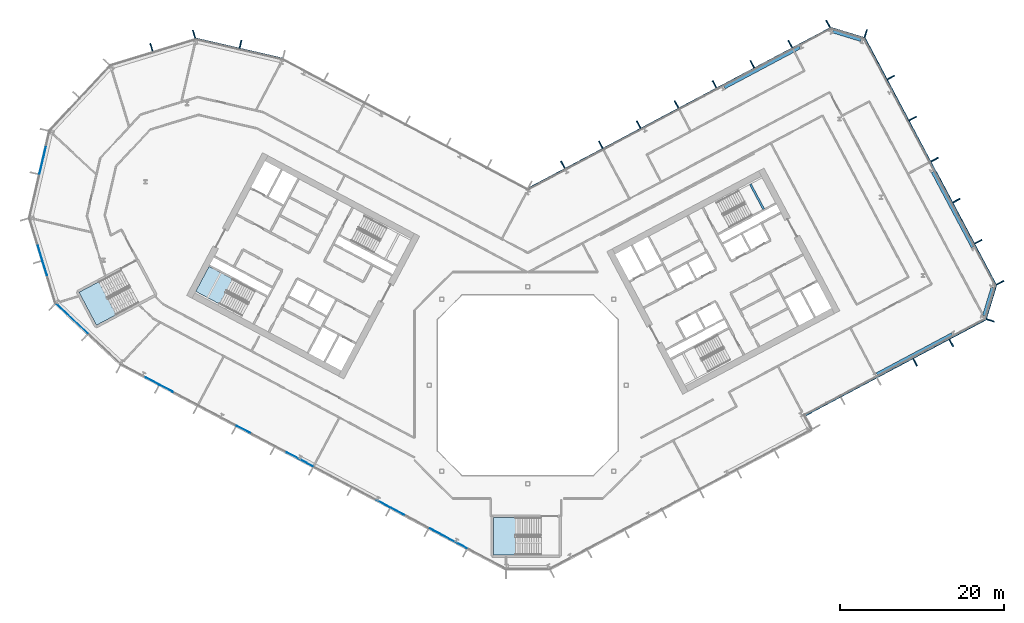
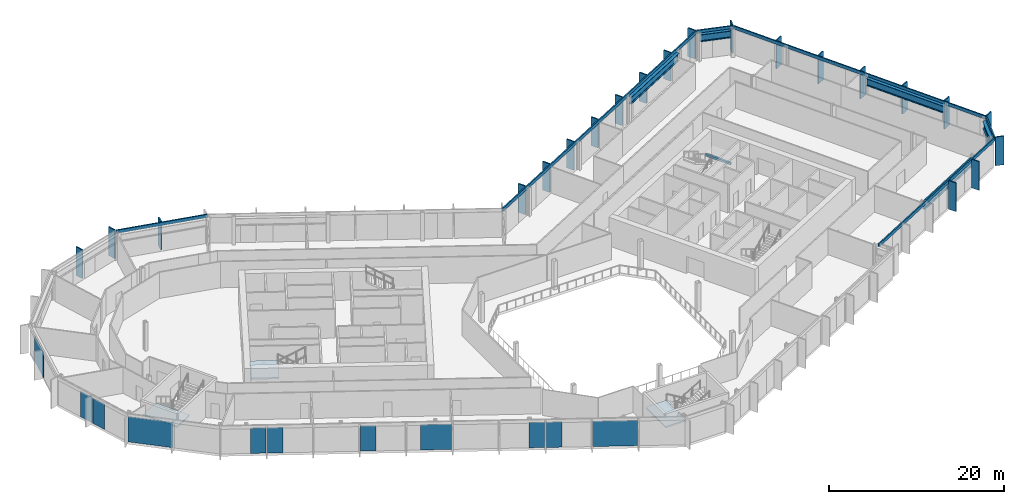
# One storey, part 10 of 28: 27 members, 11 plates, 6 beams, 3 slabs, 14 elements without a shape of their own.
"""IFC4 building model written with IfcOpenShell, lengths in metres."""

import ifcopenshell
import ifcopenshell.guid

model = None  # the IFC model being written
_history = None  # IfcOwnerHistory: only IFC2X3 demands one
_inside = {}  # id of a spatial element -> (the spatial element, [elements in it])
_under = {}  # id of a project, library or spatial element -> (it, [spatial elements below it])
_declared = {}  # id of a project -> (the project, [libraries it declares])
_typed = {}  # id of a type object -> (the type object, [elements of that type])
_made_of = {}  # id of a material, layer set ... -> (it, [elements and type objects made of it])


def new_model(schema):
    """Start an empty IFC model of exactly this schema.

    Asked for "IFC4X3", IfcOpenShell would pick the latest addendum, in which some entities
    have other attributes; the version numbers below select the first issue.
    IFC2X3 requires an IfcOwnerHistory on every rooted entity: one is made here for all.
    """
    global model, _history
    if schema == "IFC4X3":
        model = ifcopenshell.file(schema_version=(4, 3, 0, 0))
    else:
        model = ifcopenshell.file(schema=schema)
    _inside.clear()
    _under.clear()
    _declared.clear()
    _typed.clear()
    _made_of.clear()
    _history = None
    if model.schema == "IFC2X3":
        org = make("IfcOrganization", Name="unknown")
        user = make(
            "IfcPersonAndOrganization",
            ThePerson=make("IfcPerson", FamilyName="unknown"),
            TheOrganization=org,
        )
        app = make(
            "IfcApplication",
            ApplicationDeveloper=org,
            Version="unknown",
            ApplicationFullName="unknown",
            ApplicationIdentifier="unknown",
        )
        _history = make(
            "IfcOwnerHistory",
            OwningUser=user,
            OwningApplication=app,
            ChangeAction="ADDED",
            CreationDate=0,
        )
    return model


def make(cls, **values):
    """One entity of the class cls with the attributes given. An attribute that is None is left unset."""
    return model.create_entity(
        cls, **{name: value for name, value in values.items() if value is not None}
    )


def rooted(cls, **values):
    """An entity with a GlobalId (a new one), such as an element, a storey or a relation."""
    return make(cls, GlobalId=ifcopenshell.guid.new(), OwnerHistory=_history, **values)


def si_unit(unit_type, name, prefix=None):
    """IfcSIUnit, for example si_unit("LENGTHUNIT", "METRE", prefix="MILLI")."""
    return make("IfcSIUnit", UnitType=unit_type, Prefix=prefix, Name=name)


def assignment(units):
    """IfcUnitAssignment: the units of a project."""
    return None if units is None else make("IfcUnitAssignment", Units=units)


def point(xyz):
    """IfcCartesianPoint."""
    return None if xyz is None else make("IfcCartesianPoint", Coordinates=xyz)


def direction(xyz):
    """IfcDirection."""
    return None if xyz is None else make("IfcDirection", DirectionRatios=xyz)


def frame(location, z_axis=None, x_axis=None):
    """IfcAxis2Placement3D, a coordinate frame: its origin and axes. An axis left out is left unset."""
    return make(
        "IfcAxis2Placement3D",
        Location=point(location),
        Axis=direction(z_axis),
        RefDirection=direction(x_axis),
    )


def frame_2d(location, x_axis=None):
    """IfcAxis2Placement2D, a coordinate frame in the plane: its origin and x axis."""
    return make(
        "IfcAxis2Placement2D", Location=point(location), RefDirection=direction(x_axis)
    )


def origin():
    """The frame at (0, 0, 0) with its axes left unset."""
    return frame((0.0, 0.0, 0.0))


def origin_2d():
    """The frame at (0, 0) in the plane with its x axis left unset."""
    return frame_2d((0.0, 0.0))


def place(relative_to, where):
    """IfcLocalPlacement: puts the frame where relative to a parent placement (None: the world)."""
    return make(
        "IfcLocalPlacement", PlacementRelTo=relative_to, RelativePlacement=where
    )


def context(
    kind, dimensions, precision=None, world=None, true_north=None, identifier=None
):
    """IfcGeometricRepresentationContext, for example the 3D "Model" context."""
    return make(
        "IfcGeometricRepresentationContext",
        ContextIdentifier=identifier,
        ContextType=kind,
        CoordinateSpaceDimension=dimensions,
        Precision=precision,
        WorldCoordinateSystem=world,
        TrueNorth=true_north,
    )


def subcontext(parent, identifier, kind, view, scale=None):
    """IfcGeometricRepresentationSubContext, for example "Body" below "Model"."""
    return make(
        "IfcGeometricRepresentationSubContext",
        ContextIdentifier=identifier,
        ContextType=kind,
        ParentContext=parent,
        TargetScale=scale,
        TargetView=view,
    )


def project(units=None, contexts=None):
    """IfcProject with its units and contexts."""
    return rooted(
        "IfcProject",
        Name="project",
        RepresentationContexts=contexts,
        UnitsInContext=assignment(units),
    )


def spatial(cls, under=None, at=None, **own):
    """A site, building, storey or space (cls), placed at a placement, below another one or the project."""
    s = rooted(cls, ObjectPlacement=at, **own)
    if under is not None:
        _under.setdefault(under.id(), (under, []))[1].append(s)
    return s


def polyline(points):
    """IfcPolyline through the points."""
    return make("IfcPolyline", Points=[point(p) for p in points])


def profile(cls, at=None, kind="AREA", **sizes):
    """A parametric profile (cls). Its sizes go by their IFC names, for example OverallWidth=200.0."""
    return make(cls, ProfileType=kind, Position=at, **sizes)


def rectangle(**sizes):
    """IfcRectangleProfileDef."""
    return profile("IfcRectangleProfileDef", **sizes)


def i_section(**sizes):
    """IfcIShapeProfileDef."""
    return profile("IfcIShapeProfileDef", **sizes)


def outline(outer, holes=None, kind="AREA"):
    """IfcArbitraryClosedProfileDef: a profile drawn as a closed curve; with holes, ...WithVoids."""
    if holes is None:
        return make("IfcArbitraryClosedProfileDef", ProfileType=kind, OuterCurve=outer)
    return make(
        "IfcArbitraryProfileDefWithVoids",
        ProfileType=kind,
        OuterCurve=outer,
        InnerCurves=holes,
    )


def extrude(swept, where, along, depth):
    """IfcExtrudedAreaSolid: the profile swept, set in the frame where, extruded along a direction by depth."""
    return make(
        "IfcExtrudedAreaSolid",
        SweptArea=swept,
        Position=where,
        ExtrudedDirection=direction(along),
        Depth=depth,
    )


def shape(context_of_items, identifier, shape_type, items):
    """IfcShapeRepresentation: the items that make up one representation, for example the "Body"."""
    return make(
        "IfcShapeRepresentation",
        ContextOfItems=context_of_items,
        RepresentationIdentifier=identifier,
        RepresentationType=shape_type,
        Items=items,
    )


def material(Name=None, Category=None):
    """IfcMaterial."""
    return make("IfcMaterial", Name=Name, Category=Category)


def layer(
    of_material, thickness, ventilated=None, Name=None, Category=None, Priority=None
):
    """IfcMaterialLayer: one layer of a wall or slab, of a material (None: an air gap)."""
    return make(
        "IfcMaterialLayer",
        Material=of_material,
        LayerThickness=thickness,
        IsVentilated=ventilated,
        Name=Name,
        Category=Category,
        Priority=Priority,
    )


def layer_set(layers, Name=None):
    """IfcMaterialLayerSet."""
    return make("IfcMaterialLayerSet", MaterialLayers=layers, LayerSetName=Name)


def material_profile(
    of_material, cross_section, Name=None, Category=None, Priority=None
):
    """IfcMaterialProfile: a cross section and its material."""
    return make(
        "IfcMaterialProfile",
        Name=Name,
        Material=of_material,
        Profile=cross_section,
        Priority=Priority,
        Category=Category,
    )


def profile_set(profiles, Name=None, composite=None):
    """IfcMaterialProfileSet."""
    return make(
        "IfcMaterialProfileSet",
        Name=Name,
        MaterialProfiles=profiles,
        CompositeProfile=composite,
    )


def made_of(thing, what):
    """Note that an element or type object is made of a material, layer set ...; save() writes the relation."""
    if what is not None:
        _made_of.setdefault(what.id(), (what, []))[1].append(thing)
    return thing


def type_object(cls, material=None, **own):
    """A type object (cls), such as IfcWallType, which elements share."""
    return made_of(rooted(cls, **own), material)


def element(
    cls,
    number,
    at=None,
    inside=None,
    cuts=None,
    type_object=None,
    material=None,
    context=None,
    identifier="Body",
    shape_type=None,
    held_by="IfcProductDefinitionShape",
    body=None,
    shapes=None,
    **own,
):
    """One element of the class cls, such as IfcWall. Its Tag is "e" and its number.

    at: its placement. inside: the storey or other place that contains it. cuts: it is an
    opening in that element (IfcRelVoidsElement). A single representation is given by context,
    identifier, shape_type and body (its items); several are given by shapes. held_by: the class
    of the entity that holds the representations. save() writes the other relations.
    """
    e = rooted(cls, Tag="e%d" % number, ObjectPlacement=at, **own)
    if body is not None:
        shapes = [shape(context, identifier, shape_type, body)]
    if shapes is not None:
        e.Representation = make(held_by, Representations=shapes)
    if inside is not None:
        _inside.setdefault(inside.id(), (inside, []))[1].append(e)
    if cuts is not None:
        rooted(
            "IfcRelVoidsElement", RelatingBuildingElement=cuts, RelatedOpeningElement=e
        )
    if type_object is not None:
        _typed.setdefault(type_object.id(), (type_object, []))[1].append(e)
    return made_of(e, material)


def aggregate(whole, parts):
    """IfcRelAggregates: a whole, such as a stair, and the parts it consists of."""
    return rooted("IfcRelAggregates", RelatingObject=whole, RelatedObjects=parts)


def save(model, path):
    """Write the relations noted so far, then the file.

    IfcRelAggregates (storeys below a building ...), IfcRelContainedInSpatialStructure (elements
    in a storey), IfcRelDefinesByType, IfcRelAssociatesMaterial and IfcRelDeclares: one each for
    every whole, place, type object, material and project.
    """
    for whole, parts in _under.values():
        aggregate(whole, parts)
    for where, things in _inside.values():
        rooted(
            "IfcRelContainedInSpatialStructure",
            RelatedElements=things,
            RelatingStructure=where,
        )
    for kind, things in _typed.values():
        rooted("IfcRelDefinesByType", RelatedObjects=things, RelatingType=kind)
    for what, things in _made_of.values():
        rooted("IfcRelAssociatesMaterial", RelatedObjects=things, RelatingMaterial=what)
    for by, libraries in _declared.values():
        rooted("IfcRelDeclares", RelatingContext=by, RelatedDefinitions=libraries)
    model.write(path)


model = new_model("IFC4")

# Units and contexts
model_context = context("Model", 3, precision=1e-05, world=origin(), true_north=direction((0.0, 1.0)))
body_context = subcontext(model_context, "Body", "Model", "MODEL_VIEW")
ifc_project = project(units=[si_unit("LENGTHUNIT", "METRE"), si_unit("AREAUNIT", "SQUARE_METRE"), si_unit("VOLUMEUNIT", "CUBIC_METRE"), si_unit("PLANEANGLEUNIT", "RADIAN"), si_unit("MASSUNIT", "GRAM", prefix="KILO")], contexts=[model_context])

# Site, building, storey
site_placement = place(None, origin())
site = spatial("IfcSite", under=ifc_project, at=site_placement, CompositionType="ELEMENT")
building_placement = place(site_placement, origin())
building = spatial("IfcBuilding", under=site, at=building_placement, Name="Cormorant Relay Tower", CompositionType="ELEMENT")
storey_placement = place(building_placement, frame((0.0, 0.0, 138.199951171875)))
storey = spatial("IfcBuildingStorey", under=building, at=storey_placement, Name="L28", CompositionType="ELEMENT", Elevation=138.199951171875)

# Curtain wall, members
ifc_material_1 = material(Name="Aluminium 6063-T6 anodised bronze", Category="aluminium")
ifc_layer_1 = layer(ifc_material_1, 0.199951171875)
ifc_layer_set_1 = layer_set([ifc_layer_1], Name="CW1 unitised bronze curtain wall with vertical fins")
curtain_wall_type = type_object("IfcCurtainWallType", Name="CW1 unitised bronze curtain wall with vertical fins", PredefinedType="NOTDEFINED", material=ifc_layer_set_1)
curtain_wall_1_placement = place(storey_placement, origin())
curtain_wall_1 = element("IfcCurtainWall", 1, at=curtain_wall_1_placement, inside=storey, type_object=curtain_wall_type, Name="CW1 curtain wall 4", PredefinedType="NOTDEFINED")
ifc_material_2 = material(Name="Aluminium 6063-T6 anodised bronze", Category="aluminium")
ifc_material_profile_1 = material_profile(ifc_material_2, rectangle(XDim=0.14990234375, YDim=1.0, at=origin_2d()), Name="AL 150x1000")
ifc_profile_set_1 = profile_set([ifc_material_profile_1], Name="Aluminium 6063-T6 anodised bronze")
member_type_1 = type_object("IfcMemberType", Name="CW1 bronze fin mullion 150 x 1000", PredefinedType="MULLION", material=ifc_profile_set_1)
member_1_placement = place(storey_placement, frame((47.21533203125, 2.793212890625, 0.0), z_axis=(0.0, 0.0, 1.0), x_axis=(0.882947592859, 0.469471562786, 0.0)))
member_1 = element("IfcMember", 2, at=member_1_placement, type_object=member_type_1, Name="CW1 fin 4.4", PredefinedType="MULLION", context=body_context, shape_type="SweptSolid", body=[
    extrude(rectangle(XDim=0.14990234375, YDim=1.0, at=origin_2d()), origin(), (0.0, 0.0, 1.0), 4.0),
])
member_2_placement = place(storey_placement, frame((51.630126953125, 5.140625, 0.0), z_axis=(0.0, 0.0, 1.0), x_axis=(0.882947592859, 0.469471562786, 0.0)))
member_2 = element("IfcMember", 3, at=member_2_placement, type_object=member_type_1, Name="CW1 fin 4.5", PredefinedType="MULLION", context=body_context, shape_type="SweptSolid", body=[
    extrude(rectangle(XDim=0.14990234375, YDim=1.0, at=origin_2d()), origin(), (0.0, 0.0, 1.0), 4.0),
])

# Curtain wall, member
curtain_wall_2_placement = place(storey_placement, origin())
curtain_wall_2 = element("IfcCurtainWall", 4, at=curtain_wall_2_placement, inside=storey, type_object=curtain_wall_type, Name="CW1 curtain wall 5", PredefinedType="NOTDEFINED")
member_3_placement = place(storey_placement, frame((56.385498046875, 7.9013671875, 0.0), z_axis=(0.0, 0.0, 1.0), x_axis=(0.292371704723, 0.956304755963, 0.0)))
member_3 = element("IfcMember", 5, at=member_3_placement, type_object=member_type_1, Name="CW1 fin 5.1", PredefinedType="MULLION", context=body_context, shape_type="SweptSolid", body=[
    extrude(rectangle(XDim=0.14990234375, YDim=1.0, at=origin_2d()), origin(), (0.0, 0.0, 1.0), 4.0),
])

# Curtain wall, members
curtain_wall_3_placement = place(storey_placement, origin())
curtain_wall_3 = element("IfcCurtainWall", 6, at=curtain_wall_3_placement, inside=storey, type_object=curtain_wall_type, Name="CW1 curtain wall 6", PredefinedType="NOTDEFINED")
member_4_placement = place(storey_placement, frame((57.57470703125, 12.491943359375, 0.0), z_axis=(0.0, 0.0, 1.0), x_axis=(-0.469471562786, 0.882947592859, 0.0)))
member_4 = element("IfcMember", 7, at=member_4_placement, type_object=member_type_1, Name="CW1 fin 6.1", PredefinedType="MULLION", context=body_context, shape_type="SweptSolid", body=[
    extrude(rectangle(XDim=0.14990234375, YDim=1.0, at=origin_2d()), origin(), (0.0, 0.0, 1.0), 4.0),
])
member_5_placement = place(storey_placement, frame((54.914306640625, 17.4951171875, 0.0), z_axis=(0.0, 0.0, 1.0), x_axis=(-0.469471562786, 0.882947592859, 0.0)))
member_5 = element("IfcMember", 8, at=member_5_placement, type_object=member_type_1, Name="CW1 fin 6.2", PredefinedType="MULLION", context=body_context, shape_type="SweptSolid", body=[
    extrude(rectangle(XDim=0.14990234375, YDim=1.0, at=origin_2d()), origin(), (0.0, 0.0, 1.0), 4.0),
])
member_6_placement = place(storey_placement, frame((52.25390625, 22.49853515625, 0.0), z_axis=(0.0, 0.0, 1.0), x_axis=(-0.469471562786, 0.882947592859, 0.0)))
member_6 = element("IfcMember", 9, at=member_6_placement, type_object=member_type_1, Name="CW1 fin 6.3", PredefinedType="MULLION", context=body_context, shape_type="SweptSolid", body=[
    extrude(rectangle(XDim=0.14990234375, YDim=1.0, at=origin_2d()), origin(), (0.0, 0.0, 1.0), 4.0),
])
member_7_placement = place(storey_placement, frame((49.59375, 27.501953125, 0.0), z_axis=(0.0, 0.0, 1.0), x_axis=(-0.469471562786, 0.882947592859, 0.0)))
member_7 = element("IfcMember", 10, at=member_7_placement, type_object=member_type_1, Name="CW1 fin 6.4", PredefinedType="MULLION", context=body_context, shape_type="SweptSolid", body=[
    extrude(rectangle(XDim=0.14990234375, YDim=1.0, at=origin_2d()), origin(), (0.0, 0.0, 1.0), 4.0),
])
member_8_placement = place(storey_placement, frame((46.933349609375, 32.50537109375, 0.0), z_axis=(0.0, 0.0, 1.0), x_axis=(-0.469471562786, 0.882947592859, 0.0)))
member_8 = element("IfcMember", 11, at=member_8_placement, type_object=member_type_1, Name="CW1 fin 6.5", PredefinedType="MULLION", context=body_context, shape_type="SweptSolid", body=[
    extrude(rectangle(XDim=0.14990234375, YDim=1.0, at=origin_2d()), origin(), (0.0, 0.0, 1.0), 4.0),
])
member_9_placement = place(storey_placement, frame((44.27294921875, 37.5087890625, 0.0), z_axis=(0.0, 0.0, 1.0), x_axis=(-0.469471562786, 0.882947592859, 0.0)))
member_9 = element("IfcMember", 12, at=member_9_placement, type_object=member_type_1, Name="CW1 fin 6.6", PredefinedType="MULLION", context=body_context, shape_type="SweptSolid", body=[
    extrude(rectangle(XDim=0.14990234375, YDim=1.0, at=origin_2d()), origin(), (0.0, 0.0, 1.0), 4.0),
])

# Curtain wall, member
curtain_wall_4_placement = place(storey_placement, origin())
curtain_wall_4 = element("IfcCurtainWall", 13, at=curtain_wall_4_placement, inside=storey, type_object=curtain_wall_type, Name="CW1 curtain wall 7", PredefinedType="NOTDEFINED")
member_10_placement = place(storey_placement, frame((41.19921875, 42.852783203125, 0.0), z_axis=(0.0, 0.0, 1.0), x_axis=(-0.956304755963, 0.292371704723, 0.0)))
member_10 = element("IfcMember", 14, at=member_10_placement, type_object=member_type_1, Name="CW1 fin 7.1", PredefinedType="MULLION", context=body_context, shape_type="SweptSolid", body=[
    extrude(rectangle(XDim=0.14990234375, YDim=1.0, at=origin_2d()), origin(), (0.0, 0.0, 1.0), 4.0),
])

# Curtain wall, members
curtain_wall_5_placement = place(storey_placement, origin())
curtain_wall_5 = element("IfcCurtainWall", 15, at=curtain_wall_5_placement, inside=storey, type_object=curtain_wall_type, Name="CW1 curtain wall 8", PredefinedType="NOTDEFINED")
member_11_placement = place(storey_placement, frame((36.608642578125, 44.0419921875, 0.0), z_axis=(0.0, 0.0, 1.0), x_axis=(-0.882947592859, -0.469471562786, 0.0)))
member_11 = element("IfcMember", 16, at=member_11_placement, type_object=member_type_1, Name="CW1 fin 8.1", PredefinedType="MULLION", context=body_context, shape_type="SweptSolid", body=[
    extrude(rectangle(XDim=0.14990234375, YDim=1.0, at=origin_2d()), origin(), (0.0, 0.0, 1.0), 4.0),
])
member_12_placement = place(storey_placement, frame((31.991455078125, 41.5869140625, 0.0), z_axis=(0.0, 0.0, 1.0), x_axis=(-0.882947592859, -0.469471562786, 0.0)))
member_12 = element("IfcMember", 17, at=member_12_placement, type_object=member_type_1, Name="CW1 fin 8.2", PredefinedType="MULLION", context=body_context, shape_type="SweptSolid", body=[
    extrude(rectangle(XDim=0.14990234375, YDim=1.0, at=origin_2d()), origin(), (0.0, 0.0, 1.0), 4.0),
])
member_13_placement = place(storey_placement, frame((27.37451171875, 39.132080078125, 0.0), z_axis=(0.0, 0.0, 1.0), x_axis=(-0.882947592859, -0.469471562786, 0.0)))
member_13 = element("IfcMember", 18, at=member_13_placement, type_object=member_type_1, Name="CW1 fin 8.3", PredefinedType="MULLION", context=body_context, shape_type="SweptSolid", body=[
    extrude(rectangle(XDim=0.14990234375, YDim=1.0, at=origin_2d()), origin(), (0.0, 0.0, 1.0), 4.0),
])
member_14_placement = place(storey_placement, frame((22.757080078125, 36.677001953125, 0.0), z_axis=(0.0, 0.0, 1.0), x_axis=(-0.882947592859, -0.469471562786, 0.0)))
member_14 = element("IfcMember", 19, at=member_14_placement, type_object=member_type_1, Name="CW1 fin 8.4", PredefinedType="MULLION", context=body_context, shape_type="SweptSolid", body=[
    extrude(rectangle(XDim=0.14990234375, YDim=1.0, at=origin_2d()), origin(), (0.0, 0.0, 1.0), 4.0),
])
member_15_placement = place(storey_placement, frame((18.139892578125, 34.221923828125, 0.0), z_axis=(0.0, 0.0, 1.0), x_axis=(-0.882947592859, -0.469471562786, 0.0)))
member_15 = element("IfcMember", 20, at=member_15_placement, type_object=member_type_1, Name="CW1 fin 8.5", PredefinedType="MULLION", context=body_context, shape_type="SweptSolid", body=[
    extrude(rectangle(XDim=0.14990234375, YDim=1.0, at=origin_2d()), origin(), (0.0, 0.0, 1.0), 4.0),
])
member_16_placement = place(storey_placement, frame((13.52294921875, 31.76708984375, 0.0), z_axis=(0.0, 0.0, 1.0), x_axis=(-0.882947592859, -0.469471562786, 0.0)))
member_16 = element("IfcMember", 21, at=member_16_placement, type_object=member_type_1, Name="CW1 fin 8.6", PredefinedType="MULLION", context=body_context, shape_type="SweptSolid", body=[
    extrude(rectangle(XDim=0.14990234375, YDim=1.0, at=origin_2d()), origin(), (0.0, 0.0, 1.0), 4.0),
])
member_17_placement = place(storey_placement, frame((8.90576171875, 29.31201171875, 0.0), z_axis=(0.0, 0.0, 1.0), x_axis=(-0.882947592859, -0.469471562786, 0.0)))
member_17 = element("IfcMember", 22, at=member_17_placement, type_object=member_type_1, Name="CW1 fin 8.7", PredefinedType="MULLION", context=body_context, shape_type="SweptSolid", body=[
    extrude(rectangle(XDim=0.14990234375, YDim=1.0, at=origin_2d()), origin(), (0.0, 0.0, 1.0), 4.0),
])
member_18_placement = place(storey_placement, frame((4.28857421875, 26.85693359375, 0.0), z_axis=(0.0, 0.0, 1.0), x_axis=(-0.882947592859, -0.469471562786, 0.0)))
member_18 = element("IfcMember", 23, at=member_18_placement, type_object=member_type_1, Name="CW1 fin 8.8", PredefinedType="MULLION", context=body_context, shape_type="SweptSolid", body=[
    extrude(rectangle(XDim=0.14990234375, YDim=1.0, at=origin_2d()), origin(), (0.0, 0.0, 1.0), 4.0),
])

# Curtain wall, member
curtain_wall_6_placement = place(storey_placement, origin())
curtain_wall_6 = element("IfcCurtainWall", 24, at=curtain_wall_6_placement, inside=storey, type_object=curtain_wall_type, Name="CW1 curtain wall 10", PredefinedType="NOTDEFINED")
member_19_placement = place(storey_placement, frame((-35.01220703125, 41.57275390625, 0.0), z_axis=(0.0, 0.0, 1.0), x_axis=(-0.974370064785, 0.224951054344, 0.0)))
member_19 = element("IfcMember", 25, at=member_19_placement, type_object=member_type_1, Name="CW1 fin 10.2", PredefinedType="MULLION", context=body_context, shape_type="SweptSolid", body=[
    extrude(rectangle(XDim=0.14990234375, YDim=1.0, at=origin_2d()), origin(), (0.0, 0.0, 1.0), 4.0),
])

# Curtain wall, members
curtain_wall_7_placement = place(storey_placement, origin())
curtain_wall_7 = element("IfcCurtainWall", 26, at=curtain_wall_7_placement, inside=storey, type_object=curtain_wall_type, Name="CW1 curtain wall 11", PredefinedType="NOTDEFINED")
member_20_placement = place(storey_placement, frame((-40.670166015625, 42.78271484375, 0.0), z_axis=(0.0, 0.0, 1.0), x_axis=(-0.956304755963, -0.292371704723, 0.0)))
member_20 = element("IfcMember", 27, at=member_20_placement, type_object=member_type_1, Name="CW1 fin 11.1", PredefinedType="MULLION", context=body_context, shape_type="SweptSolid", body=[
    extrude(rectangle(XDim=0.14990234375, YDim=1.0, at=origin_2d()), origin(), (0.0, 0.0, 1.0), 4.0),
])
member_21_placement = place(storey_placement, frame((-45.867919921875, 41.193603515625, 0.0), z_axis=(0.0, 0.0, 1.0), x_axis=(-0.956304755963, -0.292371704723, 0.0)))
member_21 = element("IfcMember", 28, at=member_21_placement, type_object=member_type_1, Name="CW1 fin 11.2", PredefinedType="MULLION", context=body_context, shape_type="SweptSolid", body=[
    extrude(rectangle(XDim=0.14990234375, YDim=1.0, at=origin_2d()), origin(), (0.0, 0.0, 1.0), 4.0),
])
aggregate(curtain_wall_7, [member_20, member_21])

# Member
ifc_material_3 = material(Name="Aluminium 6063-T6 anodised bronze", Category="aluminium")
ifc_material_profile_2 = material_profile(ifc_material_3, rectangle(XDim=0.159912109375, YDim=0.449951171875, at=origin_2d()), Name="AL 160x450")
ifc_profile_set_2 = profile_set([ifc_material_profile_2], Name="Aluminium 6063-T6 anodised bronze")
member_type_2 = type_object("IfcMemberType", Name="CW1 bronze transom 160 x 450", PredefinedType="USERDEFINED", material=ifc_profile_set_2)
member_22_placement = place(storey_placement, frame((33.69873046875, -3.73681640625, 3.775146484375), z_axis=(0.88294749795, 0.469471741284, 0.0), x_axis=(-0.469471741284, 0.88294749795, 0.0)))
member_22 = element("IfcMember", 29, at=member_22_placement, type_object=member_type_2, Name="CW1 transom 4", ObjectType="TRANSOM", PredefinedType="USERDEFINED", context=body_context, shape_type="SweptSolid", body=[
    extrude(rectangle(XDim=0.159912109375, YDim=0.449951171875, at=origin_2d()), origin(), (0.0, 0.0, 1.0), 25.0),
])

aggregate(curtain_wall_1, [member_1, member_2, member_22])

member_23_placement = place(storey_placement, frame((55.830810546875, 8.07080078125, 3.775146484375), z_axis=(0.292374957137, 0.956303761594, 0.0), x_axis=(-0.956303761594, 0.292374957137, 0.0)))
member_23 = element("IfcMember", 30, at=member_23_placement, type_object=member_type_2, Name="CW1 transom 5", ObjectType="TRANSOM", PredefinedType="USERDEFINED", context=body_context, shape_type="SweptSolid", body=[
    extrude(rectangle(XDim=0.159912109375, YDim=0.449951171875, at=origin_2d()), origin(), (0.0, 0.0, 1.0), 4.24267578125),
])

aggregate(curtain_wall_2, [member_3, member_23])

member_24_placement = place(storey_placement, frame((57.0625, 12.219482421875, 3.775146484375), z_axis=(-0.469468277635, 0.882949339597, 0.0), x_axis=(-0.882949339597, -0.469468277635, 0.0)))
member_24 = element("IfcMember", 31, at=member_24_placement, type_object=member_type_2, Name="CW1 transom 6", ObjectType="TRANSOM", PredefinedType="USERDEFINED", context=body_context, shape_type="SweptSolid", body=[
    extrude(rectangle(XDim=0.159912109375, YDim=0.449951171875, at=origin_2d()), origin(), (0.0, 0.0, 1.0), 34.0),
])

aggregate(curtain_wall_3, [member_4, member_5, member_6, member_7, member_8, member_9, member_24])

member_25_placement = place(storey_placement, frame((41.02978515625, 42.298095703125, 3.775146484375), z_axis=(-0.956303761594, 0.292374957137, 0.0), x_axis=(-0.292374957137, -0.956303761594, 0.0)))
member_25 = element("IfcMember", 32, at=member_25_placement, type_object=member_type_2, Name="CW1 transom 7", ObjectType="TRANSOM", PredefinedType="USERDEFINED", context=body_context, shape_type="SweptSolid", body=[
    extrude(rectangle(XDim=0.159912109375, YDim=0.449951171875, at=origin_2d()), origin(), (0.0, 0.0, 1.0), 4.24267578125),
])

aggregate(curtain_wall_4, [member_10, member_25])

member_26_placement = place(storey_placement, frame((36.881103515625, 43.52978515625, 3.775146484375), z_axis=(-0.88294882701, -0.469469241677, 0.0), x_axis=(0.469469241677, -0.88294882701, 0.0)))
member_26 = element("IfcMember", 33, at=member_26_placement, type_object=member_type_2, Name="CW1 transom 8", ObjectType="TRANSOM", PredefinedType="USERDEFINED", context=body_context, shape_type="SweptSolid", body=[
    extrude(rectangle(XDim=0.159912109375, YDim=0.449951171875, at=origin_2d()), origin(), (0.0, 0.0, 1.0), 41.834228515625),
])

aggregate(curtain_wall_5, [member_11, member_12, member_13, member_14, member_15, member_16, member_17, member_18, member_26])

member_27_placement = place(storey_placement, frame((-29.8466796875, 39.784912109375, 3.775146484375), z_axis=(-0.974365070969, 0.224972683844, 0.0), x_axis=(-0.224972683844, -0.974365070969, 0.0)))
member_27 = element("IfcMember", 34, at=member_27_placement, type_object=member_type_2, Name="CW1 transom 10", ObjectType="TRANSOM", PredefinedType="USERDEFINED", context=body_context, shape_type="SweptSolid", body=[
    extrude(rectangle(XDim=0.159912109375, YDim=0.449951171875, at=origin_2d()), origin(), (0.0, 0.0, 1.0), 10.870361328125),
])

aggregate(curtain_wall_6, [member_19, member_27])

# Beams
ifc_material_4 = material(Name="Steel ASTM A992 (Fy 345 MPa)", Category="steel")
ifc_material_profile_3 = material_profile(ifc_material_4, i_section(OverallWidth=0.4013671875, OverallDepth=1.000732421875, WebThickness=0.01904296875, FlangeThickness=0.0361328125, FilletRadius=0.02978515625, at=origin_2d()), Name="W1000x371")
ifc_profile_set_3 = profile_set([ifc_material_profile_3], Name="Steel ASTM A992 (Fy 345 MPa)")
beam_type_1 = type_object("IfcBeamType", Name="Spandrel W1000x371", PredefinedType="SPANDREL", material=ifc_profile_set_3)
beam_1_placement = place(storey_placement, frame((42.5595703125, 1.337890625, 3.1396484375), z_axis=(0.882955922346, 0.469455896963, 0.0), x_axis=(-0.469455896963, 0.882955922346, 0.0)))
element("IfcBeam", 35, at=beam_1_placement, inside=storey, type_object=beam_type_1, Name="Spandrel beam L28-004", PredefinedType="SPANDREL", context=body_context, shape_type="SweptSolid", body=[
    extrude(i_section(OverallWidth=0.4013671875, OverallDepth=1.000732421875, WebThickness=0.01904296875, FlangeThickness=0.0361328125, FilletRadius=0.02978515625, at=origin_2d()), origin(), (0.0, 0.0, 1.0), 10.388427734375),
])
beam_2_placement = place(storey_placement, frame((55.62548828125, 8.495849609375, 3.1396484375), z_axis=(0.29237248799, 0.956304516494, 0.0), x_axis=(-0.956304516494, 0.29237248799, 0.0)))
element("IfcBeam", 36, at=beam_2_placement, inside=storey, type_object=beam_type_1, Name="Spandrel beam L28-005", PredefinedType="SPANDREL", context=body_context, shape_type="SweptSolid", body=[
    extrude(i_section(OverallWidth=0.4013671875, OverallDepth=1.000732421875, WebThickness=0.01904296875, FlangeThickness=0.0361328125, FilletRadius=0.02978515625, at=origin_2d()), origin(), (0.0, 0.0, 1.0), 3.585693359375),
])
beam_3_placement = place(storey_placement, frame((54.24169921875, 16.841796875, 3.1396484375), z_axis=(-0.469474218299, 0.882946180893, 0.0), x_axis=(-0.882946180893, -0.469474218299, 0.0)))
element("IfcBeam", 37, at=beam_3_placement, inside=storey, type_object=beam_type_1, Name="Spandrel beam L28-006", PredefinedType="SPANDREL", context=body_context, shape_type="SweptSolid", body=[
    extrude(i_section(OverallWidth=0.4013671875, OverallDepth=1.000732421875, WebThickness=0.01904296875, FlangeThickness=0.0361328125, FilletRadius=0.02978515625, at=origin_2d()), origin(), (0.0, 0.0, 1.0), 10.388671875),
])
beam_4_placement = place(storey_placement, frame((40.605224609375, 42.0927734375, 3.1396484375), z_axis=(-0.956311914022, 0.292348290742, 0.0), x_axis=(-0.292348290742, -0.956311914022, 0.0)))
element("IfcBeam", 38, at=beam_4_placement, inside=storey, type_object=beam_type_1, Name="Spandrel beam L28-007", PredefinedType="SPANDREL", context=body_context, shape_type="SweptSolid", body=[
    extrude(i_section(OverallWidth=0.4013671875, OverallDepth=1.000732421875, WebThickness=0.01904296875, FlangeThickness=0.0361328125, FilletRadius=0.02978515625, at=origin_2d()), origin(), (0.0, 0.0, 1.0), 3.585205078125),
])
beam_5_placement = place(storey_placement, frame((33.141357421875, 41.17822265625, 3.1396484375), z_axis=(-0.882955922346, -0.469455896963, 0.0), x_axis=(0.469455896963, -0.882955922346, 0.0)))
element("IfcBeam", 39, at=beam_5_placement, inside=storey, type_object=beam_type_1, Name="Spandrel beam L28-008", PredefinedType="SPANDREL", context=body_context, shape_type="SweptSolid", body=[
    extrude(i_section(OverallWidth=0.4013671875, OverallDepth=1.000732421875, WebThickness=0.01904296875, FlangeThickness=0.0361328125, FilletRadius=0.02978515625, at=origin_2d()), origin(), (0.0, 0.0, 1.0), 10.388427734375),
])
ifc_material_5 = material(Name="Concrete 50 MPa", Category="concrete")
ifc_material_profile_4 = material_profile(ifc_material_5, rectangle(XDim=0.25, YDim=0.300048828125, at=origin_2d()), Name="RC 250x300")
ifc_profile_set_4 = profile_set([ifc_material_profile_4], Name="Concrete 50 MPa")
beam_type_2 = type_object("IfcBeamType", Name="Stair landing ledge beam 250x300", PredefinedType="BEAM", material=ifc_profile_set_4)
beam_6_placement = place(storey_placement, frame((28.755126953125, 21.4619140625, 1.650146484375), z_axis=(-0.469463917486, 0.882951657895, 0.0), x_axis=(-0.882951657895, -0.469463917486, 0.0)))
element("IfcBeam", 40, at=beam_6_placement, inside=storey, type_object=beam_type_2, Name="B2 landing ledge beam", PredefinedType="BEAM", context=body_context, shape_type="SweptSolid", body=[
    extrude(rectangle(XDim=0.25, YDim=0.300048828125, at=origin_2d()), origin(), (0.0, 0.0, 1.0), 3.449951171875),
])

# Curtain wall, plates
curtain_wall_8_placement = place(storey_placement, origin())
curtain_wall_8 = element("IfcCurtainWall", 41, at=curtain_wall_8_placement, inside=storey, type_object=curtain_wall_type, Name="CW1 curtain wall 14", PredefinedType="NOTDEFINED")
ifc_material_6 = material(Name="Tinted laminated glass", Category="glass")
ifc_layer_2 = layer(ifc_material_6, 0.0400390625)
ifc_layer_set_2 = layer_set([ifc_layer_2], Name="CW1 tinted vision panel 1800 module")
plate_type_1 = type_object("IfcPlateType", Name="CW1 tinted vision panel 1800 module", PredefinedType="CURTAIN_PANEL", material=ifc_layer_set_2)
plate_1_placement = place(storey_placement, frame((-59.434814453125, 16.122314453125, 0.0), z_axis=(0.0, 0.0, 1.0), x_axis=(0.292371704723, -0.956304755963, 0.0)))
plate_1 = element("IfcPlate", 42, at=plate_1_placement, type_object=plate_type_1, Name="CW1 panel V01", PredefinedType="CURTAIN_PANEL", context=body_context, shape_type="SweptSolid", body=[
    extrude(rectangle(XDim=1.800048828125, YDim=0.0400390625, at=origin_2d()), origin(), (0.0, 0.0, 1.0), 3.550048828125),
])
plate_2_placement = place(storey_placement, frame((-58.86474609375, 14.25732421875, 0.0), z_axis=(0.0, 0.0, 1.0), x_axis=(0.292371704723, -0.956304755963, 0.0)))
plate_2 = element("IfcPlate", 43, at=plate_2_placement, type_object=plate_type_1, Name="CW1 panel V02", PredefinedType="CURTAIN_PANEL", context=body_context, shape_type="SweptSolid", body=[
    extrude(rectangle(XDim=1.800048828125, YDim=0.0400390625, at=origin_2d()), origin(), (0.0, 0.0, 1.0), 3.550048828125),
])
aggregate(curtain_wall_8, [plate_1, plate_2])

curtain_wall_9_placement = place(storey_placement, origin())
curtain_wall_9 = element("IfcCurtainWall", 44, at=curtain_wall_9_placement, inside=storey, type_object=curtain_wall_type, Name="CW1 curtain wall 16", PredefinedType="NOTDEFINED")
plate_3_placement = place(storey_placement, frame((-45.767578125, 0.5283203125, 0.0), z_axis=(0.0, 0.0, 1.0), x_axis=(0.882947592859, -0.469471562786, 0.0)))
plate_3 = element("IfcPlate", 45, at=plate_3_placement, type_object=plate_type_1, Name="CW1 panel V01", PredefinedType="CURTAIN_PANEL", context=body_context, shape_type="SweptSolid", body=[
    extrude(rectangle(XDim=1.800048828125, YDim=0.0400390625, at=origin_2d()), origin(), (0.0, 0.0, 1.0), 3.550048828125),
])
plate_4_placement = place(storey_placement, frame((-44.0458984375, -0.38720703125, 0.0), z_axis=(0.0, 0.0, 1.0), x_axis=(0.882947592859, -0.469471562786, 0.0)))
plate_4 = element("IfcPlate", 46, at=plate_4_placement, type_object=plate_type_1, Name="CW1 panel V02", PredefinedType="CURTAIN_PANEL", context=body_context, shape_type="SweptSolid", body=[
    extrude(rectangle(XDim=1.800048828125, YDim=0.0400390625, at=origin_2d()), origin(), (0.0, 0.0, 1.0), 3.550048828125),
])
plate_5_placement = place(storey_placement, frame((-34.6572265625, -5.37890625, 0.0), z_axis=(0.0, 0.0, 1.0), x_axis=(0.882947592859, -0.469471562786, 0.0)))
plate_5 = element("IfcPlate", 47, at=plate_5_placement, type_object=plate_type_1, Name="CW1 panel V04", PredefinedType="CURTAIN_PANEL", context=body_context, shape_type="SweptSolid", body=[
    extrude(rectangle(XDim=1.800048828125, YDim=0.0400390625, at=origin_2d()), origin(), (0.0, 0.0, 1.0), 3.550048828125),
])
plate_6_placement = place(storey_placement, frame((-17.601806640625, -14.447509765625, 0.0), z_axis=(0.0, 0.0, 1.0), x_axis=(0.882947592859, -0.469471562786, 0.0)))
plate_6 = element("IfcPlate", 48, at=plate_6_placement, type_object=plate_type_1, Name="CW1 panel V08", PredefinedType="CURTAIN_PANEL", context=body_context, shape_type="SweptSolid", body=[
    extrude(rectangle(XDim=1.800048828125, YDim=0.0400390625, at=origin_2d()), origin(), (0.0, 0.0, 1.0), 3.550048828125),
])
plate_7_placement = place(storey_placement, frame((-15.880126953125, -15.363037109375, 0.0), z_axis=(0.0, 0.0, 1.0), x_axis=(0.882947592859, -0.469471562786, 0.0)))
plate_7 = element("IfcPlate", 49, at=plate_7_placement, type_object=plate_type_1, Name="CW1 panel V09", PredefinedType="CURTAIN_PANEL", context=body_context, shape_type="SweptSolid", body=[
    extrude(rectangle(XDim=1.800048828125, YDim=0.0400390625, at=origin_2d()), origin(), (0.0, 0.0, 1.0), 3.550048828125),
])

# Curtain wall, plate
curtain_wall_10_placement = place(storey_placement, origin())
curtain_wall_10 = element("IfcCurtainWall", 50, at=curtain_wall_10_placement, inside=storey, type_object=curtain_wall_type, Name="CW1 curtain wall 13", PredefinedType="NOTDEFINED")
ifc_material_7 = material(Name="Tinted laminated glass", Category="glass")
ifc_layer_3 = layer(ifc_material_7, 0.0400390625)
ifc_layer_set_3 = layer_set([ifc_layer_3], Name="CW1 tinted vision panel 3600 module")
plate_type_2 = type_object("IfcPlateType", Name="CW1 tinted vision panel 3600 module", PredefinedType="CURTAIN_PANEL", material=ifc_layer_set_3)
plate_8_placement = place(storey_placement, frame((-59.094970703125, 27.520751953125, 0.0), z_axis=(0.0, 0.0, 1.0), x_axis=(-0.224951054344, -0.974370064785, 0.0)))
plate_8 = element("IfcPlate", 51, at=plate_8_placement, type_object=plate_type_2, Name="CW1 panel V01", PredefinedType="CURTAIN_PANEL", context=body_context, shape_type="SweptSolid", body=[
    extrude(rectangle(XDim=3.60009765625, YDim=0.0400390625, at=origin_2d()), origin(), (0.0, 0.0, 1.0), 3.550048828125),
])
aggregate(curtain_wall_10, [plate_8])

# Plate
plate_9_placement = place(storey_placement, frame((-27.78515625, -9.032958984375, 0.0), z_axis=(0.0, 0.0, 1.0), x_axis=(0.882947592859, -0.469471562786, 0.0)))
plate_9 = element("IfcPlate", 52, at=plate_9_placement, type_object=plate_type_2, Name="CW1 panel V06", PredefinedType="CURTAIN_PANEL", context=body_context, shape_type="SweptSolid", body=[
    extrude(rectangle(XDim=3.60009765625, YDim=0.0400390625, at=origin_2d()), origin(), (0.0, 0.0, 1.0), 3.550048828125),
])

# Curtain wall, plate
curtain_wall_11_placement = place(storey_placement, origin())
curtain_wall_11 = element("IfcCurtainWall", 53, at=curtain_wall_11_placement, inside=storey, type_object=curtain_wall_type, Name="CW1 curtain wall 15", PredefinedType="NOTDEFINED")
ifc_material_8 = material(Name="Tinted laminated glass", Category="glass")
ifc_layer_4 = layer(ifc_material_8, 0.0400390625)
ifc_layer_set_4 = layer_set([ifc_layer_4], Name="CW1 tinted vision panel 5400 module")
plate_type_3 = type_object("IfcPlateType", Name="CW1 tinted vision panel 5400 module", PredefinedType="CURTAIN_PANEL", material=ifc_layer_set_4)
plate_10_placement = place(storey_placement, frame((-55.56787109375, 8.1298828125, 0.0), z_axis=(0.0, 0.0, 1.0), x_axis=(0.731353701619, -0.681998360062, 0.0)))
plate_10 = element("IfcPlate", 54, at=plate_10_placement, type_object=plate_type_3, Name="CW1 panel V00", PredefinedType="CURTAIN_PANEL", context=body_context, shape_type="SweptSolid", body=[
    extrude(rectangle(XDim=5.28515625, YDim=0.0400390625, at=origin_2d()), origin(), (0.0, 0.0, 1.0), 3.550048828125),
])
aggregate(curtain_wall_11, [plate_10])

# Plate
plate_11_placement = place(storey_placement, frame((-9.69970703125, -18.649169921875, 0.0), z_axis=(0.0, 0.0, 1.0), x_axis=(0.882947592859, -0.469471562786, 0.0)))
plate_11 = element("IfcPlate", 55, at=plate_11_placement, type_object=plate_type_3, Name="CW1 panel V11", PredefinedType="CURTAIN_PANEL", context=body_context, shape_type="SweptSolid", body=[
    extrude(rectangle(XDim=5.16650390625, YDim=0.0400390625, at=origin_2d()), origin(), (0.0, 0.0, 1.0), 3.550048828125),
])

aggregate(curtain_wall_9, [plate_3, plate_4, plate_5, plate_9, plate_6, plate_7, plate_11])

# Stair, slab
ifc_material_9 = material(Name="Concrete 40 MPa", Category="concrete")
stair_type_1 = type_object("IfcStairType", Name="Exit stair 1500", PredefinedType="HALF_TURN_STAIR", material=ifc_material_9)
stair_1_placement = place(storey_placement, origin())
stair_1 = element("IfcStair", 56, at=stair_1_placement, inside=storey, type_object=stair_type_1, Name="L28 Stair", PredefinedType="HALF_TURN_STAIR")
ifc_material_10 = material(Name="Concrete 40 MPa", Category="concrete")
ifc_layer_5 = layer(ifc_material_10, 0.199951171875)
ifc_layer_set_5 = layer_set([ifc_layer_5], Name="Exit stair landing 200")
slab_type = type_object("IfcSlabType", Name="Exit stair landing 200", PredefinedType="LANDING", material=ifc_layer_set_5)
slab_1_placement = place(storey_placement, frame((0.0, 0.0, 1.800048828125)))
slab_1 = element("IfcSlab", 57, at=slab_1_placement, type_object=slab_type, Name="A2 landing 1", PredefinedType="LANDING", context=body_context, shape_type="SweptSolid", body=[
    extrude(outline(polyline([(-35.96044921875, 12.947998046875), (-38.84765625, 14.483154296875), (-40.467529296875, 11.43701171875), (-37.580322265625, 9.90185546875), (-35.96044921875, 12.947998046875)])), origin(), (0.0, 0.0, 1.0), 0.199951171875),
])
aggregate(stair_1, [slab_1])

ifc_material_11 = material(Name="Concrete 40 MPa", Category="concrete")
stair_type_2 = type_object("IfcStairType", Name="Remote exit stair 2200", PredefinedType="HALF_TURN_STAIR", material=ifc_material_11)
stair_2_placement = place(storey_placement, origin())
stair_2 = element("IfcStair", 58, at=stair_2_placement, inside=storey, type_object=stair_type_2, Name="L28 Stair", PredefinedType="HALF_TURN_STAIR")
slab_2_placement = place(storey_placement, frame((0.0, 0.0, 1.800048828125)))
slab_2 = element("IfcSlab", 59, at=slab_2_placement, type_object=slab_type, Name="RK1 landing 1", PredefinedType="LANDING", context=body_context, shape_type="SweptSolid", body=[
    extrude(outline(polyline([(-1.47998046875, -16.125), (-4.199951171875, -16.125), (-4.199951171875, -20.675048828125), (-1.47998046875, -20.675048828125), (-1.47998046875, -16.125)])), origin(), (0.0, 0.0, 1.0), 0.199951171875),
])
aggregate(stair_2, [slab_2])

stair_3_placement = place(storey_placement, origin())
stair_3 = element("IfcStair", 60, at=stair_3_placement, inside=storey, type_object=stair_type_2, Name="L28 Stair", PredefinedType="HALF_TURN_STAIR")
slab_3_placement = place(storey_placement, frame((0.0, 0.0, 1.800048828125)))
slab_3 = element("IfcSlab", 61, at=slab_3_placement, type_object=slab_type, Name="RP1 landing 1", PredefinedType="LANDING", context=body_context, shape_type="SweptSolid", body=[
    extrude(outline(polyline([(-52.29833984375, 12.607666015625), (-54.699951171875, 11.330810546875), (-52.563720703125, 7.3134765625), (-50.162109375, 8.59033203125), (-52.29833984375, 12.607666015625)])), origin(), (0.0, 0.0, 1.0), 0.199951171875),
])
aggregate(stair_3, [slab_3])

save(model, "model.ifc")
